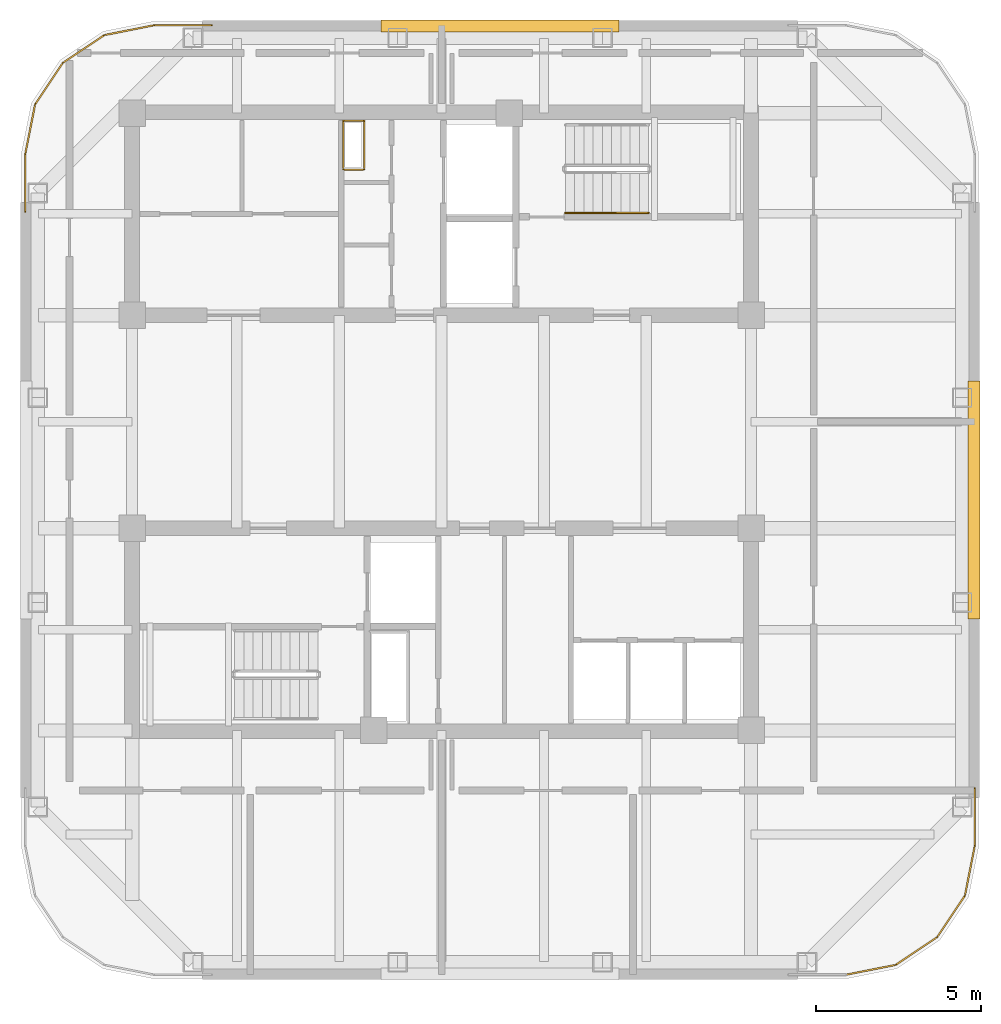
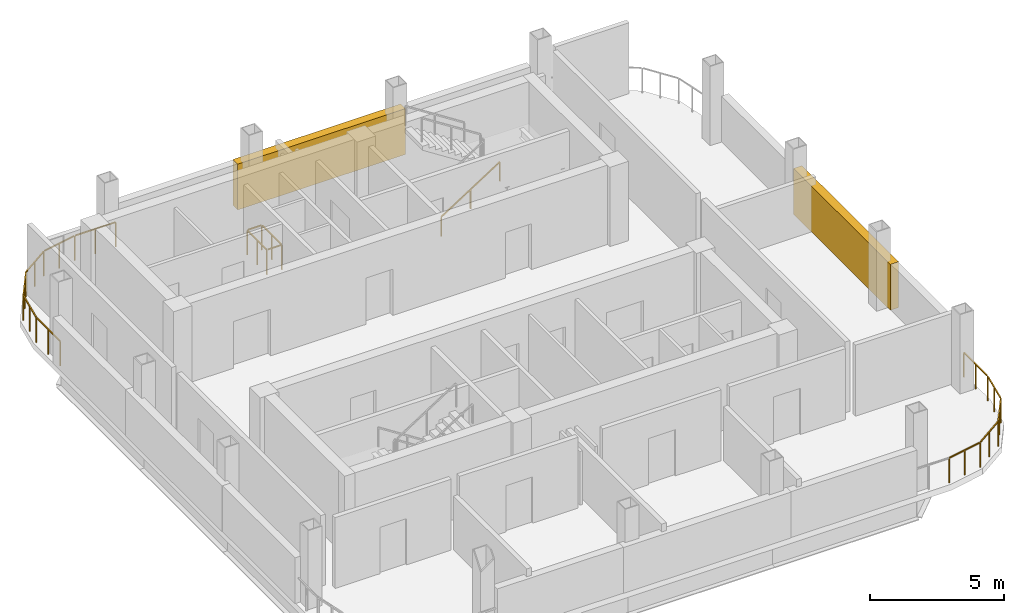
# One storey, part 6 of 7: 4 railings, 2 shading devices.
"""IFC4 building model written with IfcOpenShell, lengths in metres."""

from ifc_helpers import new_model, si_unit, direction, frame, origin, origin_2d, place, context, subcontext, project, spatial, rectangle, extrude, material, type_object, element, save


model = new_model("IFC4")

# Units and contexts
model_context = context("Model", 3, precision=1e-05, world=origin(), true_north=direction((0.0, 1.0)))
body_context = subcontext(model_context, "Body", "Model", "MODEL_VIEW")
ifc_project = project(units=[si_unit("LENGTHUNIT", "METRE"), si_unit("AREAUNIT", "SQUARE_METRE"), si_unit("VOLUMEUNIT", "CUBIC_METRE"), si_unit("PLANEANGLEUNIT", "RADIAN"), si_unit("MASSUNIT", "GRAM", prefix="KILO")], contexts=[model_context])

# Site, building, storey
site_placement = place(None, origin())
site = spatial("IfcSite", under=ifc_project, at=site_placement, CompositionType="ELEMENT")
building_placement = place(site_placement, origin())
building = spatial("IfcBuilding", under=site, at=building_placement, Name="Qhalaya Broadcast Tower", CompositionType="ELEMENT")
storey_placement = place(building_placement, frame((0.0, 0.0, 234.89990234375)))
storey = spatial("IfcBuildingStorey", under=building, at=storey_placement, Name="L69", CompositionType="ELEMENT", Elevation=234.89990234375)

# Shading devices
ifc_material_1 = material(Name="Fired Architectural Terracotta", Category="masonry")
shading_device_type = type_object("IfcShadingDeviceType", Name="Plant & Turbine-Slot Acoustic Louvre Screen LVS-01", PredefinedType="USERDEFINED", material=ifc_material_1)
for number, where, z_axis, x_axis, name in (
    (1, (16.1298828125, -1.77001953125, 0.0), (0.0, 0.0, 1.0), (0.0, -1.0, 0.0), "L69 Plant Acoustic Louvre Screen E"),
    (2, (1.77001953125, 12.590087890625, 0.0), (0.0, 0.0, 1.0), (1.0, 0.0, 0.0), "L69 Plant Acoustic Louvre Screen N"),
):
    element("IfcShadingDevice", number, at=place(storey_placement, frame(where, z_axis=z_axis, x_axis=x_axis)), inside=storey, type_object=shading_device_type, Name=name, ObjectType="LOUVRE", PredefinedType="USERDEFINED", context=body_context, shape_type="SweptSolid", body=[
        extrude(rectangle(XDim=7.199951171875, YDim=0.360107421875, at=origin_2d()), origin(), (0.0, 0.0, 1.0), 2.08203125),
    ])

# Railings
ifc_material_2 = material(Name="Powder-Coated Galvanised Steel", Category="steel")
railing_type_1 = type_object("IfcRailingType", Name="Stair Wall Handrail 900", PredefinedType="HANDRAIL", material=ifc_material_2)
railing_1_placement = place(storey_placement, frame((3.75, 6.929931640625, 0.18017578125)))
element("IfcRailing", 3, at=railing_1_placement, inside=storey, type_object=railing_type_1, Name="L69 ST-1 Stair Handrail 1", PredefinedType="HANDRAIL", context=body_context, shape_type="SweptSolid", body=[
    extrude(rectangle(XDim=0.048095703125, YDim=0.048095703125, at=origin_2d()), frame((0.0, 0.0, 0.8759765625), z_axis=(0.841199657755, 0.0, 0.540724639528), x_axis=(0.0, 1.0, 0.0)), (0.0, 0.0, 1.0), 2.995849609375),
    extrude(rectangle(XDim=0.0419921875, YDim=0.0419921875, at=origin_2d()), origin(), (0.0, 0.0, 1.0), 0.849853515625),
    extrude(rectangle(XDim=0.0419921875, YDim=0.0419921875, at=origin_2d()), frame((1.260009765625, 0.0, 0.81005859375)), (0.0, 0.0, 1.0), 0.849853515625),
    extrude(rectangle(XDim=0.0419921875, YDim=0.0419921875, at=origin_2d()), frame((2.52001953125, 0.0, 1.619873046875)), (0.0, 0.0, 1.0), 0.849853515625),
])
railing_type_2 = type_object("IfcRailingType", Name="Stair Well & Landing Guardrail 1100", PredefinedType="GUARDRAIL", material=ifc_material_2)
railing_2_placement = place(storey_placement, frame((-2.340087890625, 8.239990234375, 0.0)))
element("IfcRailing", 4, at=railing_2_placement, inside=storey, type_object=railing_type_2, Name="L69 Service Riser Opening Safety Guard NRSR", PredefinedType="GUARDRAIL", context=body_context, shape_type="SweptSolid", body=[
    extrude(rectangle(XDim=0.048095703125, YDim=0.048095703125, at=origin_2d()), frame((0.0, 0.02880859375, 1.1259765625), z_axis=(0.0, 1.0, 0.0), x_axis=(-1.0, 0.0, 0.0)), (0.0, 0.0, 1.0), 1.42236328125),
    extrude(rectangle(XDim=0.048095703125, YDim=0.048095703125, at=origin_2d()), frame((-0.02880859375, 1.47998046875, 1.1259765625), z_axis=(-1.0, 0.0, 0.0), x_axis=(0.0, -1.0, 0.0)), (0.0, 0.0, 1.0), 0.582275390625),
    extrude(rectangle(XDim=0.048095703125, YDim=0.048095703125, at=origin_2d()), frame((-0.639892578125, 1.451171875, 1.1259765625), z_axis=(0.0, -1.0, 0.0), x_axis=(1.0, 0.0, 0.0)), (0.0, 0.0, 1.0), 1.42236328125),
    extrude(rectangle(XDim=0.048095703125, YDim=0.048095703125, at=origin_2d()), frame((-0.611083984375, 0.0, 1.1259765625), z_axis=(1.0, 0.0, 0.0), x_axis=(0.0, 1.0, 0.0)), (0.0, 0.0, 1.0), 0.582275390625),
    extrude(rectangle(XDim=0.0419921875, YDim=0.0419921875, at=origin_2d()), origin(), (0.0, 0.0, 1.0), 1.099853515625),
    extrude(rectangle(XDim=0.0419921875, YDim=0.0419921875, at=origin_2d()), frame((0.0, 0.739990234375, 0.0)), (0.0, 0.0, 1.0), 1.099853515625),
    extrude(rectangle(XDim=0.0419921875, YDim=0.0419921875, at=origin_2d()), frame((0.0, 1.47998046875, 0.0)), (0.0, 0.0, 1.0), 1.099853515625),
    extrude(rectangle(XDim=0.0419921875, YDim=0.0419921875, at=origin_2d()), frame((-0.639892578125, 1.47998046875, 0.0)), (0.0, 0.0, 1.0), 1.099853515625),
    extrude(rectangle(XDim=0.0419921875, YDim=0.0419921875, at=origin_2d()), frame((-0.639892578125, 0.739990234375, 0.0)), (0.0, 0.0, 1.0), 1.099853515625),
    extrude(rectangle(XDim=0.0419921875, YDim=0.0419921875, at=origin_2d()), frame((-0.639892578125, 0.0, 0.0)), (0.0, 0.0, 1.0), 1.099853515625),
])
railing_type_3 = type_object("IfcRailingType", Name="Terrace, Sky-Pool & Lookout Glass Balustrade 1150", PredefinedType="BALUSTRADE", material=ifc_material_2)
railing_3_placement = place(storey_placement, frame((-12.610107421875, 6.9619140625, 0.0)))
element("IfcRailing", 5, at=railing_3_placement, inside=storey, type_object=railing_type_3, Name="L69 Rounded Corner Perimeter Guard 03", PredefinedType="BALUSTRADE", context=body_context, shape_type="SweptSolid", body=[
    extrude(rectangle(XDim=0.048095703125, YDim=0.048095703125, at=origin_2d()), frame((0.0, 0.0, 1.1259765625), z_axis=(0.0, 1.0, 0.0), x_axis=(-1.0, 0.0, 0.0)), (0.0, 0.0, 1.0), 1.7275390625),
    extrude(rectangle(XDim=0.048095703125, YDim=0.048095703125, at=origin_2d()), frame((0.005615234375, 1.78466796875, 1.1259765625), z_axis=(0.195161601391, 0.980771099361, 0.0), x_axis=(-0.980771099361, 0.195161601391, 0.0)), (0.0, 0.0, 1.0), 1.46728515625),
    extrude(rectangle(XDim=0.048095703125, YDim=0.048095703125, at=origin_2d()), frame((0.313720703125, 3.27587890625, 1.1259765625), z_axis=(0.555556342146, 0.83147889372, 0.0), x_axis=(-0.83147889372, 0.555556342146, 0.0)), (0.0, 0.0, 1.0), 1.455322265625),
    extrude(rectangle(XDim=0.048095703125, YDim=0.048095703125, at=origin_2d()), frame((1.162109375, 4.526123046875, 1.1259765625), z_axis=(0.83147889372, 0.555556342146, 0.0), x_axis=(-0.555556342146, 0.83147889372, 0.0)), (0.0, 0.0, 1.0), 1.455322265625),
    extrude(rectangle(XDim=0.048095703125, YDim=0.048095703125, at=origin_2d()), frame((2.424560546875, 5.356201171875, 1.1259765625), z_axis=(0.980771099361, 0.195161601391, 0.0), x_axis=(-0.195161601391, 0.980771099361, 0.0)), (0.0, 0.0, 1.0), 1.46728515625),
    extrude(rectangle(XDim=0.048095703125, YDim=0.048095703125, at=origin_2d()), frame((3.920654296875, 5.648193359375, 1.1259765625), z_axis=(1.0, 0.0, 0.0), x_axis=(0.0, 1.0, 0.0)), (0.0, 0.0, 1.0), 1.7275390625),
    extrude(rectangle(XDim=0.0419921875, YDim=0.0419921875, at=origin_2d()), origin(), (0.0, 0.0, 1.0), 1.099853515625),
    extrude(rectangle(XDim=0.0419921875, YDim=0.0419921875, at=origin_2d()), frame((0.0, 0.878173828125, 0.0)), (0.0, 0.0, 1.0), 1.099853515625),
    extrude(rectangle(XDim=0.0419921875, YDim=0.0419921875, at=origin_2d()), frame((0.0, 1.75634765625, 0.0)), (0.0, 0.0, 1.0), 1.099853515625),
    extrude(rectangle(XDim=0.0419921875, YDim=0.0419921875, at=origin_2d()), frame((0.14892578125, 2.504150390625, 0.0)), (0.0, 0.0, 1.0), 1.099853515625),
    extrude(rectangle(XDim=0.0419921875, YDim=0.0419921875, at=origin_2d()), frame((0.297607421875, 3.251953125, 0.0)), (0.0, 0.0, 1.0), 1.099853515625),
    extrude(rectangle(XDim=0.0419921875, YDim=0.0419921875, at=origin_2d()), frame((0.7177734375, 3.880859375, 0.0)), (0.0, 0.0, 1.0), 1.099853515625),
    extrude(rectangle(XDim=0.0419921875, YDim=0.0419921875, at=origin_2d()), frame((1.13818359375, 4.510009765625, 0.0)), (0.0, 0.0, 1.0), 1.099853515625),
    extrude(rectangle(XDim=0.0419921875, YDim=0.0419921875, at=origin_2d()), frame((1.76708984375, 4.93017578125, 0.0)), (0.0, 0.0, 1.0), 1.099853515625),
    extrude(rectangle(XDim=0.0419921875, YDim=0.0419921875, at=origin_2d()), frame((2.396240234375, 5.3505859375, 0.0)), (0.0, 0.0, 1.0), 1.099853515625),
    extrude(rectangle(XDim=0.0419921875, YDim=0.0419921875, at=origin_2d()), frame((3.14404296875, 5.49951171875, 0.0)), (0.0, 0.0, 1.0), 1.099853515625),
    extrude(rectangle(XDim=0.0419921875, YDim=0.0419921875, at=origin_2d()), frame((3.891845703125, 5.648193359375, 0.0)), (0.0, 0.0, 1.0), 1.099853515625),
    extrude(rectangle(XDim=0.0419921875, YDim=0.0419921875, at=origin_2d()), frame((4.77001953125, 5.648193359375, 0.0)), (0.0, 0.0, 1.0), 1.099853515625),
    extrude(rectangle(XDim=0.0419921875, YDim=0.0419921875, at=origin_2d()), frame((5.648193359375, 5.648193359375, 0.0)), (0.0, 0.0, 1.0), 1.099853515625),
])
railing_4_placement = place(storey_placement, frame((16.14990234375, -10.501953125, 0.0)))
element("IfcRailing", 6, at=railing_4_placement, inside=storey, type_object=railing_type_3, Name="L69 Rounded Corner Perimeter Guard 05", PredefinedType="BALUSTRADE", context=body_context, shape_type="SweptSolid", body=[
    extrude(rectangle(XDim=0.048095703125, YDim=0.048095703125, at=origin_2d()), frame((0.0, 0.0, 1.1259765625), z_axis=(0.0, -1.0, 0.0), x_axis=(1.0, 0.0, 0.0)), (0.0, 0.0, 1.0), 1.7275390625),
    extrude(rectangle(XDim=0.048095703125, YDim=0.048095703125, at=origin_2d()), frame((-0.005615234375, -1.78466796875, 1.1259765625), z_axis=(-0.195007592307, -0.980801732738, 0.0), x_axis=(0.980801732738, -0.195007592307, 0.0)), (0.0, 0.0, 1.0), 1.46728515625),
    extrude(rectangle(XDim=0.048095703125, YDim=0.048095703125, at=origin_2d()), frame((-0.3134765625, -3.27587890625, 1.1259765625), z_axis=(-0.555556342146, -0.83147889372, 0.0), x_axis=(0.83147889372, -0.555556342146, 0.0)), (0.0, 0.0, 1.0), 1.455322265625),
    extrude(rectangle(XDim=0.048095703125, YDim=0.048095703125, at=origin_2d()), frame((-1.161865234375, -4.526123046875, 1.1259765625), z_axis=(-0.83147889372, -0.555556342146, 0.0), x_axis=(0.555556342146, -0.83147889372, 0.0)), (0.0, 0.0, 1.0), 1.455322265625),
    extrude(rectangle(XDim=0.048095703125, YDim=0.048095703125, at=origin_2d()), frame((-2.42431640625, -5.356201171875, 1.1259765625), z_axis=(-0.980801732738, -0.195007592307, 0.0), x_axis=(0.195007592307, -0.980801732738, 0.0)), (0.0, 0.0, 1.0), 1.49609375),
    extrude(rectangle(XDim=0.0419921875, YDim=0.0419921875, at=origin_2d()), origin(), (0.0, 0.0, 1.0), 1.099853515625),
    extrude(rectangle(XDim=0.0419921875, YDim=0.0419921875, at=origin_2d()), frame((0.0, -0.878173828125, 0.0)), (0.0, 0.0, 1.0), 1.099853515625),
    extrude(rectangle(XDim=0.0419921875, YDim=0.0419921875, at=origin_2d()), frame((0.0, -1.75634765625, 0.0)), (0.0, 0.0, 1.0), 1.099853515625),
    extrude(rectangle(XDim=0.0419921875, YDim=0.0419921875, at=origin_2d()), frame((-0.148681640625, -2.504150390625, 0.0)), (0.0, 0.0, 1.0), 1.099853515625),
    extrude(rectangle(XDim=0.0419921875, YDim=0.0419921875, at=origin_2d()), frame((-0.29736328125, -3.251953125, 0.0)), (0.0, 0.0, 1.0), 1.099853515625),
    extrude(rectangle(XDim=0.0419921875, YDim=0.0419921875, at=origin_2d()), frame((-0.7177734375, -3.880859375, 0.0)), (0.0, 0.0, 1.0), 1.099853515625),
    extrude(rectangle(XDim=0.0419921875, YDim=0.0419921875, at=origin_2d()), frame((-1.137939453125, -4.510009765625, 0.0)), (0.0, 0.0, 1.0), 1.099853515625),
    extrude(rectangle(XDim=0.0419921875, YDim=0.0419921875, at=origin_2d()), frame((-1.76708984375, -4.93017578125, 0.0)), (0.0, 0.0, 1.0), 1.099853515625),
    extrude(rectangle(XDim=0.0419921875, YDim=0.0419921875, at=origin_2d()), frame((-2.39599609375, -5.3505859375, 0.0)), (0.0, 0.0, 1.0), 1.099853515625),
    extrude(rectangle(XDim=0.0419921875, YDim=0.0419921875, at=origin_2d()), frame((-3.143798828125, -5.499267578125, 0.0)), (0.0, 0.0, 1.0), 1.099853515625),
    extrude(rectangle(XDim=0.0419921875, YDim=0.0419921875, at=origin_2d()), frame((-3.8916015625, -5.64794921875, 0.0)), (0.0, 0.0, 1.0), 1.099853515625),
])

save(model, "model.ifc")
